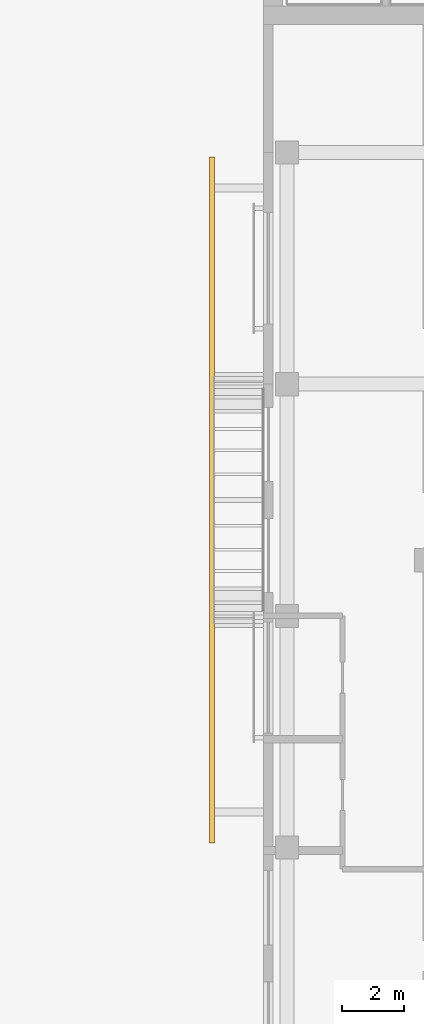
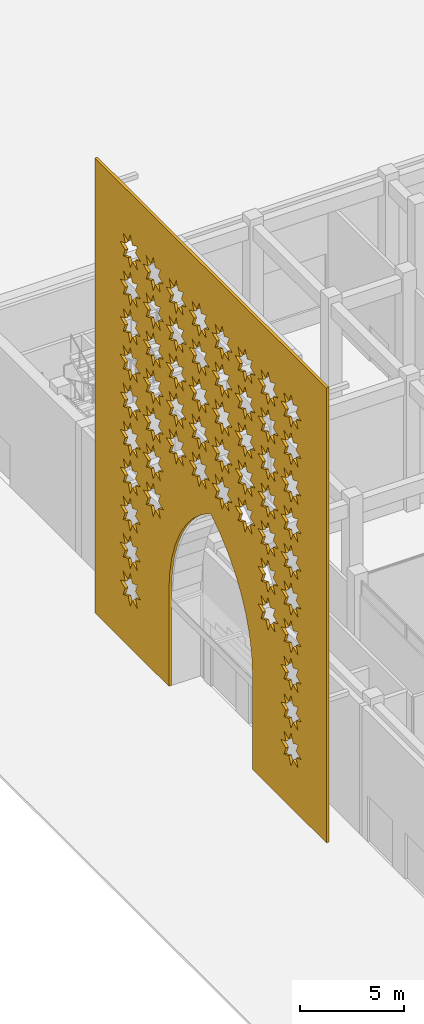
# One storey, part 55 of 64: 1 covering.
"""IFC4 building model written with IfcOpenShell, lengths in metres."""

from ifc_helpers import new_model, si_unit, direction, frame, origin, place, context, subcontext, project, spatial, polyline, outline, extrude, material, layer, layer_set, type_object, element, save


model = new_model("IFC4")

# Units and contexts
model_context = context("Model", 3, precision=1e-05, world=origin(), true_north=direction((0.0, 1.0)))
body_context = subcontext(model_context, "Body", "Model", "MODEL_VIEW")
ifc_project = project(units=[si_unit("LENGTHUNIT", "METRE"), si_unit("AREAUNIT", "SQUARE_METRE"), si_unit("VOLUMEUNIT", "CUBIC_METRE"), si_unit("PLANEANGLEUNIT", "RADIAN"), si_unit("MASSUNIT", "GRAM", prefix="KILO")], contexts=[model_context])

# Site, building, storey
site_placement = place(None, origin())
site = spatial("IfcSite", under=ifc_project, at=site_placement, CompositionType="ELEMENT")
building_placement = place(site_placement, origin())
building = spatial("IfcBuilding", under=site, at=building_placement, Name="Tessera Arch", CompositionType="ELEMENT")
storey_placement = place(building_placement, origin())
storey = spatial("IfcBuildingStorey", under=building, at=storey_placement, Name="L00", CompositionType="ELEMENT", Elevation=0.0)

# Covering
ifc_material = material(Name="Anodised aluminium pale metal", Category="aluminium")
ifc_layer = layer(ifc_material, 0.14990234375)
ifc_layer_set = layer_set([ifc_layer], Name="Museum iwan frame panel")
covering_type = type_object("IfcCoveringType", Name="Museum iwan frame panel", PredefinedType="CLADDING", material=ifc_layer_set)
covering_placement = place(storey_placement, frame((-34.14990234375, 43.050048828125, 26.60009765625), z_axis=(1.0, 0.0, 0.0), x_axis=(0.0, -1.0, 0.0)))
element("IfcCovering", 1, at=covering_placement, inside=storey, type_object=covering_type, Name="Museum entrance iwan frame", PredefinedType="CLADDING", context=body_context, shape_type="SweptSolid", body=[
    extrude(outline(polyline([(0.0, 0.0), (22.199951171875, 0.0), (22.199951171875, 26.60009765625), (15.10009765625, 26.60009765625), (15.10009765625, 21.0), (15.03173828125, 19.955810546875), (14.827392578125, 18.929443359375), (14.490966796875, 17.9384765625), (14.0283203125, 17.0), (13.44677734375, 16.1298828125), (12.7568359375, 15.34326171875), (11.97021484375, 14.6533203125), (11.10009765625, 14.07177734375), (10.22998046875, 14.6533203125), (9.443115234375, 15.34326171875), (8.753173828125, 16.1298828125), (8.171875, 17.0), (7.708984375, 17.9384765625), (7.37255859375, 18.929443359375), (7.16845703125, 19.955810546875), (7.10009765625, 21.0), (7.10009765625, 26.60009765625), (0.0, 26.60009765625), (0.0, 0.0)]), holes=[polyline([(4.3681640625, 23.2001953125), (3.887939453125, 22.998046875), (4.083984375, 22.51611328125), (3.60205078125, 22.712158203125), (3.400146484375, 22.232177734375), (3.197998046875, 22.712158203125), (2.716064453125, 22.51611328125), (2.912109375, 22.998046875), (2.43212890625, 23.2001953125), (2.912109375, 23.402099609375), (2.716064453125, 23.884033203125), (3.197998046875, 23.68798828125), (3.400146484375, 24.168212890625), (3.60205078125, 23.68798828125), (4.083984375, 23.884033203125), (3.887939453125, 23.402099609375), (4.3681640625, 23.2001953125)]), polyline([(4.3681640625, 21.0), (3.887939453125, 20.798095703125), (4.083984375, 20.316162109375), (3.60205078125, 20.51220703125), (3.400146484375, 20.031982421875), (3.197998046875, 20.51220703125), (2.716064453125, 20.316162109375), (2.912109375, 20.798095703125), (2.43212890625, 21.0), (2.912109375, 21.2021484375), (2.716064453125, 21.68408203125), (3.197998046875, 21.488037109375), (3.400146484375, 21.968017578125), (3.60205078125, 21.488037109375), (4.083984375, 21.68408203125), (3.887939453125, 21.2021484375), (4.3681640625, 21.0)]), polyline([(4.3681640625, 18.800048828125), (3.887939453125, 18.59814453125), (4.083984375, 18.1162109375), (3.60205078125, 18.31201171875), (3.400146484375, 17.83203125), (3.197998046875, 18.31201171875), (2.716064453125, 18.1162109375), (2.912109375, 18.59814453125), (2.43212890625, 18.800048828125), (2.912109375, 19.002197265625), (2.716064453125, 19.484130859375), (3.197998046875, 19.2880859375), (3.400146484375, 19.76806640625), (3.60205078125, 19.2880859375), (4.083984375, 19.484130859375), (3.887939453125, 19.002197265625), (4.3681640625, 18.800048828125)]), polyline([(4.3681640625, 16.60009765625), (3.887939453125, 16.398193359375), (4.083984375, 15.916015625), (3.60205078125, 16.112060546875), (3.400146484375, 15.632080078125), (3.197998046875, 16.112060546875), (2.716064453125, 15.916015625), (2.912109375, 16.398193359375), (2.43212890625, 16.60009765625), (2.912109375, 16.802001953125), (2.716064453125, 17.2841796875), (3.197998046875, 17.088134765625), (3.400146484375, 17.568115234375), (3.60205078125, 17.088134765625), (4.083984375, 17.2841796875), (3.887939453125, 16.802001953125), (4.3681640625, 16.60009765625)]), polyline([(4.3681640625, 14.400146484375), (3.887939453125, 14.197998046875), (4.083984375, 13.716064453125), (3.60205078125, 13.912109375), (3.400146484375, 13.43212890625), (3.197998046875, 13.912109375), (2.716064453125, 13.716064453125), (2.912109375, 14.197998046875), (2.43212890625, 14.400146484375), (2.912109375, 14.60205078125), (2.716064453125, 15.083984375), (3.197998046875, 14.88818359375), (3.400146484375, 15.3681640625), (3.60205078125, 14.88818359375), (4.083984375, 15.083984375), (3.887939453125, 14.60205078125), (4.3681640625, 14.400146484375)]), polyline([(4.3681640625, 12.2001953125), (3.887939453125, 11.998046875), (4.083984375, 11.51611328125), (3.60205078125, 11.712158203125), (3.400146484375, 11.232177734375), (3.197998046875, 11.712158203125), (2.716064453125, 11.51611328125), (2.912109375, 11.998046875), (2.43212890625, 12.2001953125), (2.912109375, 12.402099609375), (2.716064453125, 12.884033203125), (3.197998046875, 12.68798828125), (3.400146484375, 13.168212890625), (3.60205078125, 12.68798828125), (4.083984375, 12.884033203125), (3.887939453125, 12.402099609375), (4.3681640625, 12.2001953125)]), polyline([(4.3681640625, 10.0), (3.887939453125, 9.798095703125), (4.083984375, 9.316162109375), (3.60205078125, 9.51220703125), (3.400146484375, 9.031982421875), (3.197998046875, 9.51220703125), (2.716064453125, 9.316162109375), (2.912109375, 9.798095703125), (2.43212890625, 10.0), (2.912109375, 10.2021484375), (2.716064453125, 10.68408203125), (3.197998046875, 10.488037109375), (3.400146484375, 10.968017578125), (3.60205078125, 10.488037109375), (4.083984375, 10.68408203125), (3.887939453125, 10.2021484375), (4.3681640625, 10.0)]), polyline([(4.3681640625, 7.800048828125), (3.887939453125, 7.59814453125), (4.083984375, 7.1162109375), (3.60205078125, 7.31201171875), (3.400146484375, 6.83203125), (3.197998046875, 7.31201171875), (2.716064453125, 7.1162109375), (2.912109375, 7.59814453125), (2.43212890625, 7.800048828125), (2.912109375, 8.002197265625), (2.716064453125, 8.484130859375), (3.197998046875, 8.2880859375), (3.400146484375, 8.76806640625), (3.60205078125, 8.2880859375), (4.083984375, 8.484130859375), (3.887939453125, 8.002197265625), (4.3681640625, 7.800048828125)]), polyline([(4.3681640625, 5.60009765625), (3.887939453125, 5.398193359375), (4.083984375, 4.916015625), (3.60205078125, 5.112060546875), (3.400146484375, 4.632080078125), (3.197998046875, 5.112060546875), (2.716064453125, 4.916015625), (2.912109375, 5.398193359375), (2.43212890625, 5.60009765625), (2.912109375, 5.802001953125), (2.716064453125, 6.2841796875), (3.197998046875, 6.088134765625), (3.400146484375, 6.568115234375), (3.60205078125, 6.088134765625), (4.083984375, 6.2841796875), (3.887939453125, 5.802001953125), (4.3681640625, 5.60009765625)]), polyline([(4.3681640625, 3.400146484375), (3.887939453125, 3.197998046875), (4.083984375, 2.716064453125), (3.60205078125, 2.912109375), (3.400146484375, 2.43212890625), (3.197998046875, 2.912109375), (2.716064453125, 2.716064453125), (2.912109375, 3.197998046875), (2.43212890625, 3.400146484375), (2.912109375, 3.60205078125), (2.716064453125, 4.083984375), (3.197998046875, 3.88818359375), (3.400146484375, 4.3681640625), (3.60205078125, 3.88818359375), (4.083984375, 4.083984375), (3.887939453125, 3.60205078125), (4.3681640625, 3.400146484375)]), polyline([(6.568115234375, 16.60009765625), (6.088134765625, 16.398193359375), (6.283935546875, 15.916015625), (5.802001953125, 16.112060546875), (5.60009765625, 15.632080078125), (5.39794921875, 16.112060546875), (4.916015625, 15.916015625), (5.112060546875, 16.398193359375), (4.632080078125, 16.60009765625), (5.112060546875, 16.802001953125), (4.916015625, 17.2841796875), (5.39794921875, 17.088134765625), (5.60009765625, 17.568115234375), (5.802001953125, 17.088134765625), (6.283935546875, 17.2841796875), (6.088134765625, 16.802001953125), (6.568115234375, 16.60009765625)]), polyline([(6.568115234375, 14.400146484375), (6.088134765625, 14.197998046875), (6.283935546875, 13.716064453125), (5.802001953125, 13.912109375), (5.60009765625, 13.43212890625), (5.39794921875, 13.912109375), (4.916015625, 13.716064453125), (5.112060546875, 14.197998046875), (4.632080078125, 14.400146484375), (5.112060546875, 14.60205078125), (4.916015625, 15.083984375), (5.39794921875, 14.88818359375), (5.60009765625, 15.3681640625), (5.802001953125, 14.88818359375), (6.283935546875, 15.083984375), (6.088134765625, 14.60205078125), (6.568115234375, 14.400146484375)]), polyline([(6.568115234375, 12.2001953125), (6.088134765625, 11.998046875), (6.283935546875, 11.51611328125), (5.802001953125, 11.712158203125), (5.60009765625, 11.232177734375), (5.39794921875, 11.712158203125), (4.916015625, 11.51611328125), (5.112060546875, 11.998046875), (4.632080078125, 12.2001953125), (5.112060546875, 12.402099609375), (4.916015625, 12.884033203125), (5.39794921875, 12.68798828125), (5.60009765625, 13.168212890625), (5.802001953125, 12.68798828125), (6.283935546875, 12.884033203125), (6.088134765625, 12.402099609375), (6.568115234375, 12.2001953125)]), polyline([(6.568115234375, 10.0), (6.088134765625, 9.798095703125), (6.283935546875, 9.316162109375), (5.802001953125, 9.51220703125), (5.60009765625, 9.031982421875), (5.39794921875, 9.51220703125), (4.916015625, 9.316162109375), (5.112060546875, 9.798095703125), (4.632080078125, 10.0), (5.112060546875, 10.2021484375), (4.916015625, 10.68408203125), (5.39794921875, 10.488037109375), (5.60009765625, 10.968017578125), (5.802001953125, 10.488037109375), (6.283935546875, 10.68408203125), (6.088134765625, 10.2021484375), (6.568115234375, 10.0)]), polyline([(6.568115234375, 7.800048828125), (6.088134765625, 7.59814453125), (6.283935546875, 7.1162109375), (5.802001953125, 7.31201171875), (5.60009765625, 6.83203125), (5.39794921875, 7.31201171875), (4.916015625, 7.1162109375), (5.112060546875, 7.59814453125), (4.632080078125, 7.800048828125), (5.112060546875, 8.002197265625), (4.916015625, 8.484130859375), (5.39794921875, 8.2880859375), (5.60009765625, 8.76806640625), (5.802001953125, 8.2880859375), (6.283935546875, 8.484130859375), (6.088134765625, 8.002197265625), (6.568115234375, 7.800048828125)]), polyline([(6.568115234375, 5.60009765625), (6.088134765625, 5.398193359375), (6.283935546875, 4.916015625), (5.802001953125, 5.112060546875), (5.60009765625, 4.632080078125), (5.39794921875, 5.112060546875), (4.916015625, 4.916015625), (5.112060546875, 5.398193359375), (4.632080078125, 5.60009765625), (5.112060546875, 5.802001953125), (4.916015625, 6.2841796875), (5.39794921875, 6.088134765625), (5.60009765625, 6.568115234375), (5.802001953125, 6.088134765625), (6.283935546875, 6.2841796875), (6.088134765625, 5.802001953125), (6.568115234375, 5.60009765625)]), polyline([(6.568115234375, 3.400146484375), (6.088134765625, 3.197998046875), (6.283935546875, 2.716064453125), (5.802001953125, 2.912109375), (5.60009765625, 2.43212890625), (5.39794921875, 2.912109375), (4.916015625, 2.716064453125), (5.112060546875, 3.197998046875), (4.632080078125, 3.400146484375), (5.112060546875, 3.60205078125), (4.916015625, 4.083984375), (5.39794921875, 3.88818359375), (5.60009765625, 4.3681640625), (5.802001953125, 3.88818359375), (6.283935546875, 4.083984375), (6.088134765625, 3.60205078125), (6.568115234375, 3.400146484375)]), polyline([(8.76806640625, 12.2001953125), (8.2880859375, 11.998046875), (8.484130859375, 11.51611328125), (8.001953125, 11.712158203125), (7.800048828125, 11.232177734375), (7.59814453125, 11.712158203125), (7.115966796875, 11.51611328125), (7.31201171875, 11.998046875), (6.83203125, 12.2001953125), (7.31201171875, 12.402099609375), (7.115966796875, 12.884033203125), (7.59814453125, 12.68798828125), (7.800048828125, 13.168212890625), (8.001953125, 12.68798828125), (8.484130859375, 12.884033203125), (8.2880859375, 12.402099609375), (8.76806640625, 12.2001953125)]), polyline([(8.76806640625, 10.0), (8.2880859375, 9.798095703125), (8.484130859375, 9.316162109375), (8.001953125, 9.51220703125), (7.800048828125, 9.031982421875), (7.59814453125, 9.51220703125), (7.115966796875, 9.316162109375), (7.31201171875, 9.798095703125), (6.83203125, 10.0), (7.31201171875, 10.2021484375), (7.115966796875, 10.68408203125), (7.59814453125, 10.488037109375), (7.800048828125, 10.968017578125), (8.001953125, 10.488037109375), (8.484130859375, 10.68408203125), (8.2880859375, 10.2021484375), (8.76806640625, 10.0)]), polyline([(8.76806640625, 7.800048828125), (8.2880859375, 7.59814453125), (8.484130859375, 7.1162109375), (8.001953125, 7.31201171875), (7.800048828125, 6.83203125), (7.59814453125, 7.31201171875), (7.115966796875, 7.1162109375), (7.31201171875, 7.59814453125), (6.83203125, 7.800048828125), (7.31201171875, 8.002197265625), (7.115966796875, 8.484130859375), (7.59814453125, 8.2880859375), (7.800048828125, 8.76806640625), (8.001953125, 8.2880859375), (8.484130859375, 8.484130859375), (8.2880859375, 8.002197265625), (8.76806640625, 7.800048828125)]), polyline([(8.76806640625, 5.60009765625), (8.2880859375, 5.398193359375), (8.484130859375, 4.916015625), (8.001953125, 5.112060546875), (7.800048828125, 4.632080078125), (7.59814453125, 5.112060546875), (7.115966796875, 4.916015625), (7.31201171875, 5.398193359375), (6.83203125, 5.60009765625), (7.31201171875, 5.802001953125), (7.115966796875, 6.2841796875), (7.59814453125, 6.088134765625), (7.800048828125, 6.568115234375), (8.001953125, 6.088134765625), (8.484130859375, 6.2841796875), (8.2880859375, 5.802001953125), (8.76806640625, 5.60009765625)]), polyline([(8.76806640625, 3.400146484375), (8.2880859375, 3.197998046875), (8.484130859375, 2.716064453125), (8.001953125, 2.912109375), (7.800048828125, 2.43212890625), (7.59814453125, 2.912109375), (7.115966796875, 2.716064453125), (7.31201171875, 3.197998046875), (6.83203125, 3.400146484375), (7.31201171875, 3.60205078125), (7.115966796875, 4.083984375), (7.59814453125, 3.88818359375), (7.800048828125, 4.3681640625), (8.001953125, 3.88818359375), (8.484130859375, 4.083984375), (8.2880859375, 3.60205078125), (8.76806640625, 3.400146484375)]), polyline([(10.968017578125, 12.2001953125), (10.488037109375, 11.998046875), (10.68408203125, 11.51611328125), (10.2021484375, 11.712158203125), (10.0, 11.232177734375), (9.798095703125, 11.712158203125), (9.316162109375, 11.51611328125), (9.511962890625, 11.998046875), (9.031982421875, 12.2001953125), (9.511962890625, 12.402099609375), (9.316162109375, 12.884033203125), (9.798095703125, 12.68798828125), (10.0, 13.168212890625), (10.2021484375, 12.68798828125), (10.68408203125, 12.884033203125), (10.488037109375, 12.402099609375), (10.968017578125, 12.2001953125)]), polyline([(10.968017578125, 10.0), (10.488037109375, 9.798095703125), (10.68408203125, 9.316162109375), (10.2021484375, 9.51220703125), (10.0, 9.031982421875), (9.798095703125, 9.51220703125), (9.316162109375, 9.316162109375), (9.511962890625, 9.798095703125), (9.031982421875, 10.0), (9.511962890625, 10.2021484375), (9.316162109375, 10.68408203125), (9.798095703125, 10.488037109375), (10.0, 10.968017578125), (10.2021484375, 10.488037109375), (10.68408203125, 10.68408203125), (10.488037109375, 10.2021484375), (10.968017578125, 10.0)]), polyline([(10.968017578125, 7.800048828125), (10.488037109375, 7.59814453125), (10.68408203125, 7.1162109375), (10.2021484375, 7.31201171875), (10.0, 6.83203125), (9.798095703125, 7.31201171875), (9.316162109375, 7.1162109375), (9.511962890625, 7.59814453125), (9.031982421875, 7.800048828125), (9.511962890625, 8.002197265625), (9.316162109375, 8.484130859375), (9.798095703125, 8.2880859375), (10.0, 8.76806640625), (10.2021484375, 8.2880859375), (10.68408203125, 8.484130859375), (10.488037109375, 8.002197265625), (10.968017578125, 7.800048828125)]), polyline([(10.968017578125, 5.60009765625), (10.488037109375, 5.398193359375), (10.68408203125, 4.916015625), (10.2021484375, 5.112060546875), (10.0, 4.632080078125), (9.798095703125, 5.112060546875), (9.316162109375, 4.916015625), (9.511962890625, 5.398193359375), (9.031982421875, 5.60009765625), (9.511962890625, 5.802001953125), (9.316162109375, 6.2841796875), (9.798095703125, 6.088134765625), (10.0, 6.568115234375), (10.2021484375, 6.088134765625), (10.68408203125, 6.2841796875), (10.488037109375, 5.802001953125), (10.968017578125, 5.60009765625)]), polyline([(10.968017578125, 3.400146484375), (10.488037109375, 3.197998046875), (10.68408203125, 2.716064453125), (10.2021484375, 2.912109375), (10.0, 2.43212890625), (9.798095703125, 2.912109375), (9.316162109375, 2.716064453125), (9.511962890625, 3.197998046875), (9.031982421875, 3.400146484375), (9.511962890625, 3.60205078125), (9.316162109375, 4.083984375), (9.798095703125, 3.88818359375), (10.0, 4.3681640625), (10.2021484375, 3.88818359375), (10.68408203125, 4.083984375), (10.488037109375, 3.60205078125), (10.968017578125, 3.400146484375)]), polyline([(13.16796875, 12.2001953125), (12.68798828125, 11.998046875), (12.884033203125, 11.51611328125), (12.402099609375, 11.712158203125), (12.199951171875, 11.232177734375), (11.998046875, 11.712158203125), (11.51611328125, 11.51611328125), (11.712158203125, 11.998046875), (11.23193359375, 12.2001953125), (11.712158203125, 12.402099609375), (11.51611328125, 12.884033203125), (11.998046875, 12.68798828125), (12.199951171875, 13.168212890625), (12.402099609375, 12.68798828125), (12.884033203125, 12.884033203125), (12.68798828125, 12.402099609375), (13.16796875, 12.2001953125)]), polyline([(13.16796875, 10.0), (12.68798828125, 9.798095703125), (12.884033203125, 9.316162109375), (12.402099609375, 9.51220703125), (12.199951171875, 9.031982421875), (11.998046875, 9.51220703125), (11.51611328125, 9.316162109375), (11.712158203125, 9.798095703125), (11.23193359375, 10.0), (11.712158203125, 10.2021484375), (11.51611328125, 10.68408203125), (11.998046875, 10.488037109375), (12.199951171875, 10.968017578125), (12.402099609375, 10.488037109375), (12.884033203125, 10.68408203125), (12.68798828125, 10.2021484375), (13.16796875, 10.0)]), polyline([(13.16796875, 7.800048828125), (12.68798828125, 7.59814453125), (12.884033203125, 7.1162109375), (12.402099609375, 7.31201171875), (12.199951171875, 6.83203125), (11.998046875, 7.31201171875), (11.51611328125, 7.1162109375), (11.712158203125, 7.59814453125), (11.23193359375, 7.800048828125), (11.712158203125, 8.002197265625), (11.51611328125, 8.484130859375), (11.998046875, 8.2880859375), (12.199951171875, 8.76806640625), (12.402099609375, 8.2880859375), (12.884033203125, 8.484130859375), (12.68798828125, 8.002197265625), (13.16796875, 7.800048828125)]), polyline([(13.16796875, 5.60009765625), (12.68798828125, 5.398193359375), (12.884033203125, 4.916015625), (12.402099609375, 5.112060546875), (12.199951171875, 4.632080078125), (11.998046875, 5.112060546875), (11.51611328125, 4.916015625), (11.712158203125, 5.398193359375), (11.23193359375, 5.60009765625), (11.712158203125, 5.802001953125), (11.51611328125, 6.2841796875), (11.998046875, 6.088134765625), (12.199951171875, 6.568115234375), (12.402099609375, 6.088134765625), (12.884033203125, 6.2841796875), (12.68798828125, 5.802001953125), (13.16796875, 5.60009765625)]), polyline([(13.16796875, 3.400146484375), (12.68798828125, 3.197998046875), (12.884033203125, 2.716064453125), (12.402099609375, 2.912109375), (12.199951171875, 2.43212890625), (11.998046875, 2.912109375), (11.51611328125, 2.716064453125), (11.712158203125, 3.197998046875), (11.23193359375, 3.400146484375), (11.712158203125, 3.60205078125), (11.51611328125, 4.083984375), (11.998046875, 3.88818359375), (12.199951171875, 4.3681640625), (12.402099609375, 3.88818359375), (12.884033203125, 4.083984375), (12.68798828125, 3.60205078125), (13.16796875, 3.400146484375)]), polyline([(15.3681640625, 12.2001953125), (14.887939453125, 11.998046875), (15.083984375, 11.51611328125), (14.60205078125, 11.712158203125), (14.400146484375, 11.232177734375), (14.197998046875, 11.712158203125), (13.716064453125, 11.51611328125), (13.912109375, 11.998046875), (13.43212890625, 12.2001953125), (13.912109375, 12.402099609375), (13.716064453125, 12.884033203125), (14.197998046875, 12.68798828125), (14.400146484375, 13.168212890625), (14.60205078125, 12.68798828125), (15.083984375, 12.884033203125), (14.887939453125, 12.402099609375), (15.3681640625, 12.2001953125)]), polyline([(15.3681640625, 10.0), (14.887939453125, 9.798095703125), (15.083984375, 9.316162109375), (14.60205078125, 9.51220703125), (14.400146484375, 9.031982421875), (14.197998046875, 9.51220703125), (13.716064453125, 9.316162109375), (13.912109375, 9.798095703125), (13.43212890625, 10.0), (13.912109375, 10.2021484375), (13.716064453125, 10.68408203125), (14.197998046875, 10.488037109375), (14.400146484375, 10.968017578125), (14.60205078125, 10.488037109375), (15.083984375, 10.68408203125), (14.887939453125, 10.2021484375), (15.3681640625, 10.0)]), polyline([(15.3681640625, 7.800048828125), (14.887939453125, 7.59814453125), (15.083984375, 7.1162109375), (14.60205078125, 7.31201171875), (14.400146484375, 6.83203125), (14.197998046875, 7.31201171875), (13.716064453125, 7.1162109375), (13.912109375, 7.59814453125), (13.43212890625, 7.800048828125), (13.912109375, 8.002197265625), (13.716064453125, 8.484130859375), (14.197998046875, 8.2880859375), (14.400146484375, 8.76806640625), (14.60205078125, 8.2880859375), (15.083984375, 8.484130859375), (14.887939453125, 8.002197265625), (15.3681640625, 7.800048828125)]), polyline([(15.3681640625, 5.60009765625), (14.887939453125, 5.398193359375), (15.083984375, 4.916015625), (14.60205078125, 5.112060546875), (14.400146484375, 4.632080078125), (14.197998046875, 5.112060546875), (13.716064453125, 4.916015625), (13.912109375, 5.398193359375), (13.43212890625, 5.60009765625), (13.912109375, 5.802001953125), (13.716064453125, 6.2841796875), (14.197998046875, 6.088134765625), (14.400146484375, 6.568115234375), (14.60205078125, 6.088134765625), (15.083984375, 6.2841796875), (14.887939453125, 5.802001953125), (15.3681640625, 5.60009765625)]), polyline([(15.3681640625, 3.400146484375), (14.887939453125, 3.197998046875), (15.083984375, 2.716064453125), (14.60205078125, 2.912109375), (14.400146484375, 2.43212890625), (14.197998046875, 2.912109375), (13.716064453125, 2.716064453125), (13.912109375, 3.197998046875), (13.43212890625, 3.400146484375), (13.912109375, 3.60205078125), (13.716064453125, 4.083984375), (14.197998046875, 3.88818359375), (14.400146484375, 4.3681640625), (14.60205078125, 3.88818359375), (15.083984375, 4.083984375), (14.887939453125, 3.60205078125), (15.3681640625, 3.400146484375)]), polyline([(17.568115234375, 16.60009765625), (17.088134765625, 16.398193359375), (17.283935546875, 15.916015625), (16.802001953125, 16.112060546875), (16.60009765625, 15.632080078125), (16.39794921875, 16.112060546875), (15.916015625, 15.916015625), (16.112060546875, 16.398193359375), (15.632080078125, 16.60009765625), (16.112060546875, 16.802001953125), (15.916015625, 17.2841796875), (16.39794921875, 17.088134765625), (16.60009765625, 17.568115234375), (16.802001953125, 17.088134765625), (17.283935546875, 17.2841796875), (17.088134765625, 16.802001953125), (17.568115234375, 16.60009765625)]), polyline([(17.568115234375, 14.400146484375), (17.088134765625, 14.197998046875), (17.283935546875, 13.716064453125), (16.802001953125, 13.912109375), (16.60009765625, 13.43212890625), (16.39794921875, 13.912109375), (15.916015625, 13.716064453125), (16.112060546875, 14.197998046875), (15.632080078125, 14.400146484375), (16.112060546875, 14.60205078125), (15.916015625, 15.083984375), (16.39794921875, 14.88818359375), (16.60009765625, 15.3681640625), (16.802001953125, 14.88818359375), (17.283935546875, 15.083984375), (17.088134765625, 14.60205078125), (17.568115234375, 14.400146484375)]), polyline([(17.568115234375, 12.2001953125), (17.088134765625, 11.998046875), (17.283935546875, 11.51611328125), (16.802001953125, 11.712158203125), (16.60009765625, 11.232177734375), (16.39794921875, 11.712158203125), (15.916015625, 11.51611328125), (16.112060546875, 11.998046875), (15.632080078125, 12.2001953125), (16.112060546875, 12.402099609375), (15.916015625, 12.884033203125), (16.39794921875, 12.68798828125), (16.60009765625, 13.168212890625), (16.802001953125, 12.68798828125), (17.283935546875, 12.884033203125), (17.088134765625, 12.402099609375), (17.568115234375, 12.2001953125)]), polyline([(17.568115234375, 10.0), (17.088134765625, 9.798095703125), (17.283935546875, 9.316162109375), (16.802001953125, 9.51220703125), (16.60009765625, 9.031982421875), (16.39794921875, 9.51220703125), (15.916015625, 9.316162109375), (16.112060546875, 9.798095703125), (15.632080078125, 10.0), (16.112060546875, 10.2021484375), (15.916015625, 10.68408203125), (16.39794921875, 10.488037109375), (16.60009765625, 10.968017578125), (16.802001953125, 10.488037109375), (17.283935546875, 10.68408203125), (17.088134765625, 10.2021484375), (17.568115234375, 10.0)]), polyline([(17.568115234375, 7.800048828125), (17.088134765625, 7.59814453125), (17.283935546875, 7.1162109375), (16.802001953125, 7.31201171875), (16.60009765625, 6.83203125), (16.39794921875, 7.31201171875), (15.916015625, 7.1162109375), (16.112060546875, 7.59814453125), (15.632080078125, 7.800048828125), (16.112060546875, 8.002197265625), (15.916015625, 8.484130859375), (16.39794921875, 8.2880859375), (16.60009765625, 8.76806640625), (16.802001953125, 8.2880859375), (17.283935546875, 8.484130859375), (17.088134765625, 8.002197265625), (17.568115234375, 7.800048828125)]), polyline([(17.568115234375, 5.60009765625), (17.088134765625, 5.398193359375), (17.283935546875, 4.916015625), (16.802001953125, 5.112060546875), (16.60009765625, 4.632080078125), (16.39794921875, 5.112060546875), (15.916015625, 4.916015625), (16.112060546875, 5.398193359375), (15.632080078125, 5.60009765625), (16.112060546875, 5.802001953125), (15.916015625, 6.2841796875), (16.39794921875, 6.088134765625), (16.60009765625, 6.568115234375), (16.802001953125, 6.088134765625), (17.283935546875, 6.2841796875), (17.088134765625, 5.802001953125), (17.568115234375, 5.60009765625)]), polyline([(17.568115234375, 3.400146484375), (17.088134765625, 3.197998046875), (17.283935546875, 2.716064453125), (16.802001953125, 2.912109375), (16.60009765625, 2.43212890625), (16.39794921875, 2.912109375), (15.916015625, 2.716064453125), (16.112060546875, 3.197998046875), (15.632080078125, 3.400146484375), (16.112060546875, 3.60205078125), (15.916015625, 4.083984375), (16.39794921875, 3.88818359375), (16.60009765625, 4.3681640625), (16.802001953125, 3.88818359375), (17.283935546875, 4.083984375), (17.088134765625, 3.60205078125), (17.568115234375, 3.400146484375)]), polyline([(19.76806640625, 23.2001953125), (19.2880859375, 22.998046875), (19.484130859375, 22.51611328125), (19.001953125, 22.712158203125), (18.800048828125, 22.232177734375), (18.59814453125, 22.712158203125), (18.115966796875, 22.51611328125), (18.31201171875, 22.998046875), (17.83203125, 23.2001953125), (18.31201171875, 23.402099609375), (18.115966796875, 23.884033203125), (18.59814453125, 23.68798828125), (18.800048828125, 24.168212890625), (19.001953125, 23.68798828125), (19.484130859375, 23.884033203125), (19.2880859375, 23.402099609375), (19.76806640625, 23.2001953125)]), polyline([(19.76806640625, 21.0), (19.2880859375, 20.798095703125), (19.484130859375, 20.316162109375), (19.001953125, 20.51220703125), (18.800048828125, 20.031982421875), (18.59814453125, 20.51220703125), (18.115966796875, 20.316162109375), (18.31201171875, 20.798095703125), (17.83203125, 21.0), (18.31201171875, 21.2021484375), (18.115966796875, 21.68408203125), (18.59814453125, 21.488037109375), (18.800048828125, 21.968017578125), (19.001953125, 21.488037109375), (19.484130859375, 21.68408203125), (19.2880859375, 21.2021484375), (19.76806640625, 21.0)]), polyline([(19.76806640625, 18.800048828125), (19.2880859375, 18.59814453125), (19.484130859375, 18.1162109375), (19.001953125, 18.31201171875), (18.800048828125, 17.83203125), (18.59814453125, 18.31201171875), (18.115966796875, 18.1162109375), (18.31201171875, 18.59814453125), (17.83203125, 18.800048828125), (18.31201171875, 19.002197265625), (18.115966796875, 19.484130859375), (18.59814453125, 19.2880859375), (18.800048828125, 19.76806640625), (19.001953125, 19.2880859375), (19.484130859375, 19.484130859375), (19.2880859375, 19.002197265625), (19.76806640625, 18.800048828125)]), polyline([(19.76806640625, 16.60009765625), (19.2880859375, 16.398193359375), (19.484130859375, 15.916015625), (19.001953125, 16.112060546875), (18.800048828125, 15.632080078125), (18.59814453125, 16.112060546875), (18.115966796875, 15.916015625), (18.31201171875, 16.398193359375), (17.83203125, 16.60009765625), (18.31201171875, 16.802001953125), (18.115966796875, 17.2841796875), (18.59814453125, 17.088134765625), (18.800048828125, 17.568115234375), (19.001953125, 17.088134765625), (19.484130859375, 17.2841796875), (19.2880859375, 16.802001953125), (19.76806640625, 16.60009765625)]), polyline([(19.76806640625, 14.400146484375), (19.2880859375, 14.197998046875), (19.484130859375, 13.716064453125), (19.001953125, 13.912109375), (18.800048828125, 13.43212890625), (18.59814453125, 13.912109375), (18.115966796875, 13.716064453125), (18.31201171875, 14.197998046875), (17.83203125, 14.400146484375), (18.31201171875, 14.60205078125), (18.115966796875, 15.083984375), (18.59814453125, 14.88818359375), (18.800048828125, 15.3681640625), (19.001953125, 14.88818359375), (19.484130859375, 15.083984375), (19.2880859375, 14.60205078125), (19.76806640625, 14.400146484375)]), polyline([(19.76806640625, 12.2001953125), (19.2880859375, 11.998046875), (19.484130859375, 11.51611328125), (19.001953125, 11.712158203125), (18.800048828125, 11.232177734375), (18.59814453125, 11.712158203125), (18.115966796875, 11.51611328125), (18.31201171875, 11.998046875), (17.83203125, 12.2001953125), (18.31201171875, 12.402099609375), (18.115966796875, 12.884033203125), (18.59814453125, 12.68798828125), (18.800048828125, 13.168212890625), (19.001953125, 12.68798828125), (19.484130859375, 12.884033203125), (19.2880859375, 12.402099609375), (19.76806640625, 12.2001953125)]), polyline([(19.76806640625, 10.0), (19.2880859375, 9.798095703125), (19.484130859375, 9.316162109375), (19.001953125, 9.51220703125), (18.800048828125, 9.031982421875), (18.59814453125, 9.51220703125), (18.115966796875, 9.316162109375), (18.31201171875, 9.798095703125), (17.83203125, 10.0), (18.31201171875, 10.2021484375), (18.115966796875, 10.68408203125), (18.59814453125, 10.488037109375), (18.800048828125, 10.968017578125), (19.001953125, 10.488037109375), (19.484130859375, 10.68408203125), (19.2880859375, 10.2021484375), (19.76806640625, 10.0)]), polyline([(19.76806640625, 7.800048828125), (19.2880859375, 7.59814453125), (19.484130859375, 7.1162109375), (19.001953125, 7.31201171875), (18.800048828125, 6.83203125), (18.59814453125, 7.31201171875), (18.115966796875, 7.1162109375), (18.31201171875, 7.59814453125), (17.83203125, 7.800048828125), (18.31201171875, 8.002197265625), (18.115966796875, 8.484130859375), (18.59814453125, 8.2880859375), (18.800048828125, 8.76806640625), (19.001953125, 8.2880859375), (19.484130859375, 8.484130859375), (19.2880859375, 8.002197265625), (19.76806640625, 7.800048828125)]), polyline([(19.76806640625, 5.60009765625), (19.2880859375, 5.398193359375), (19.484130859375, 4.916015625), (19.001953125, 5.112060546875), (18.800048828125, 4.632080078125), (18.59814453125, 5.112060546875), (18.115966796875, 4.916015625), (18.31201171875, 5.398193359375), (17.83203125, 5.60009765625), (18.31201171875, 5.802001953125), (18.115966796875, 6.2841796875), (18.59814453125, 6.088134765625), (18.800048828125, 6.568115234375), (19.001953125, 6.088134765625), (19.484130859375, 6.2841796875), (19.2880859375, 5.802001953125), (19.76806640625, 5.60009765625)]), polyline([(19.76806640625, 3.400146484375), (19.2880859375, 3.197998046875), (19.484130859375, 2.716064453125), (19.001953125, 2.912109375), (18.800048828125, 2.43212890625), (18.59814453125, 2.912109375), (18.115966796875, 2.716064453125), (18.31201171875, 3.197998046875), (17.83203125, 3.400146484375), (18.31201171875, 3.60205078125), (18.115966796875, 4.083984375), (18.59814453125, 3.88818359375), (18.800048828125, 4.3681640625), (19.001953125, 3.88818359375), (19.484130859375, 4.083984375), (19.2880859375, 3.60205078125), (19.76806640625, 3.400146484375)])]), origin(), (0.0, 0.0, -1.0), 0.14990234375),
])

save(model, "model.ifc")
